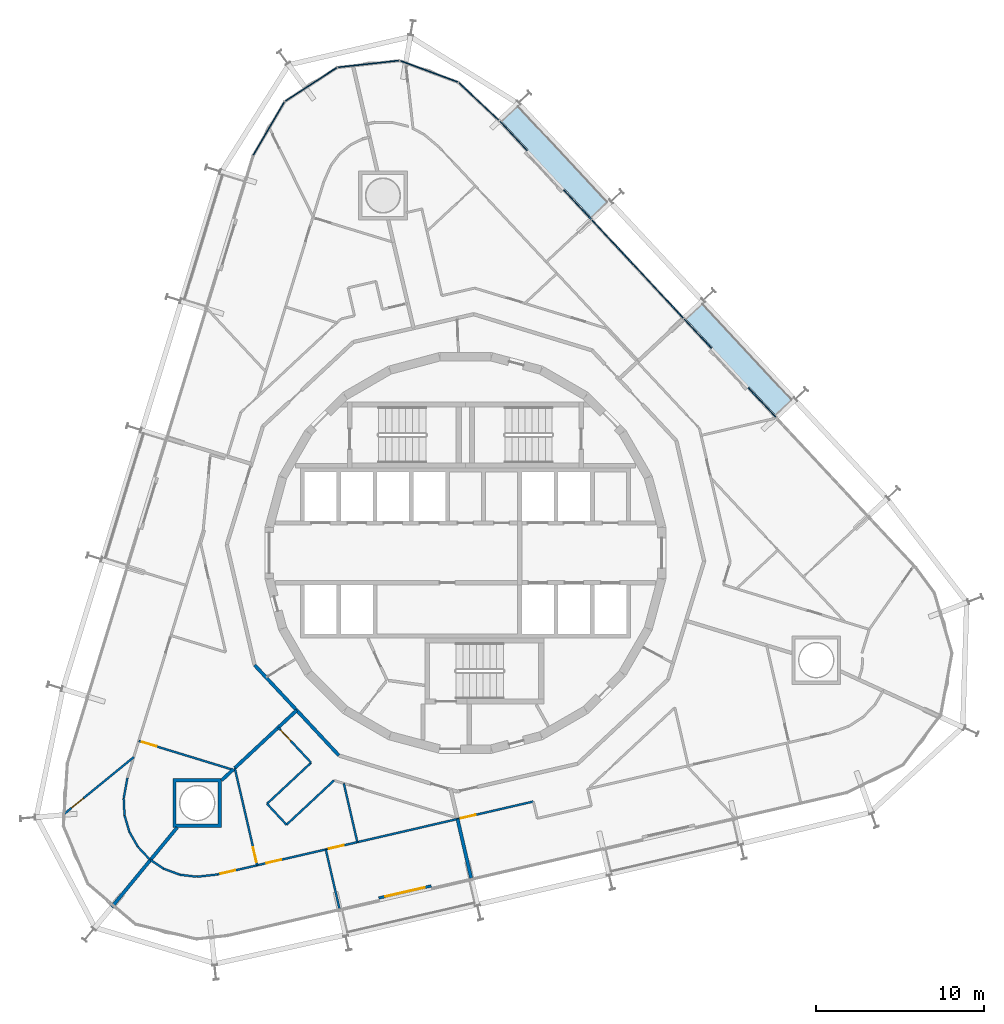
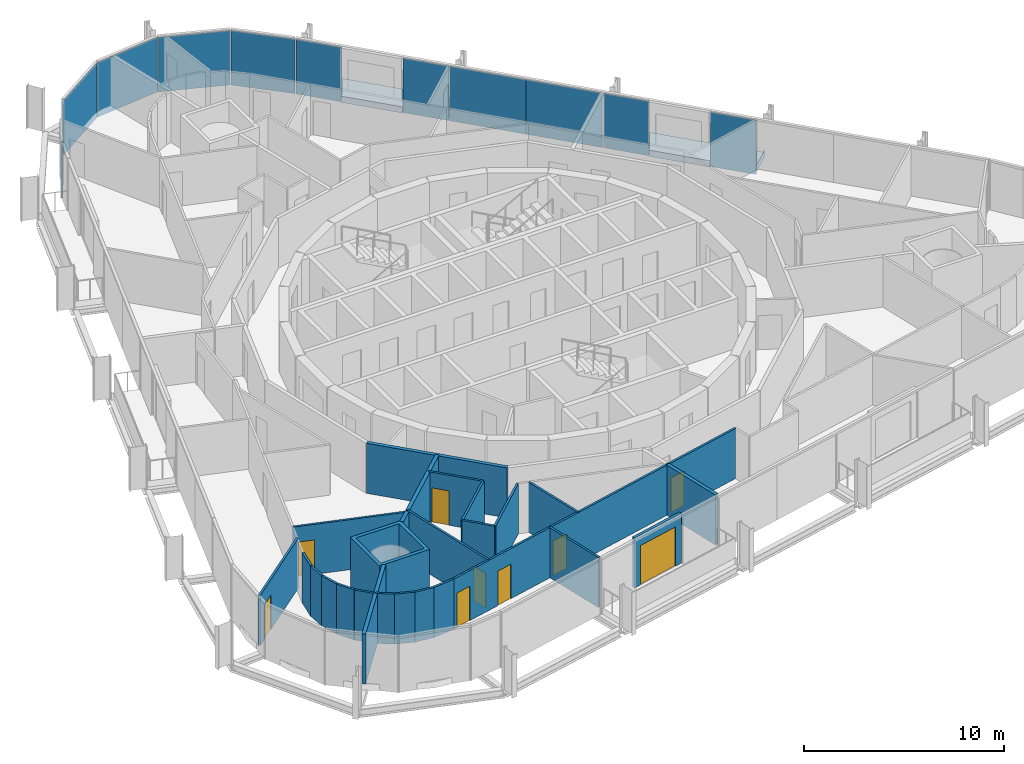
# One storey, part 11 of 18: 26 walls, 11 plates, 9 doors, 2 slabs, 9 openings, 2 elements without a shape of their own.
"""IFC4 building model written with IfcOpenShell, lengths in metres."""

from ifc_helpers import new_model, si_unit, direction, frame, frame_2d, origin, origin_2d, place, context, subcontext, project, spatial, polyline, rectangle, outline, extrude, material, layer, layer_set, type_object, element, fill, aggregate, save


model = new_model("IFC4")

# Units and contexts
model_context = context("Model", 3, precision=1e-05, world=origin(), true_north=direction((0.0, 1.0)))
body_context = subcontext(model_context, "Body", "Model", "MODEL_VIEW")
ifc_project = project(units=[si_unit("LENGTHUNIT", "METRE"), si_unit("AREAUNIT", "SQUARE_METRE"), si_unit("VOLUMEUNIT", "CUBIC_METRE"), si_unit("PLANEANGLEUNIT", "RADIAN"), si_unit("MASSUNIT", "GRAM", prefix="KILO")], contexts=[model_context])

# Site, building, storey
site_placement = place(None, origin())
site = spatial("IfcSite", under=ifc_project, at=site_placement, CompositionType="ELEMENT")
building_placement = place(site_placement, origin())
building = spatial("IfcBuilding", under=site, at=building_placement, Name="Spindle Arch Residences", CompositionType="ELEMENT")
storey_placement = place(building_placement, frame((0.0, 0.0, 141.39990234375)))
storey = spatial("IfcBuildingStorey", under=building, at=storey_placement, Name="L35", CompositionType="ELEMENT", Elevation=141.39990234375)

# Slabs
ifc_material_1 = material(Name="Concrete C40/50", Category="concrete")
ifc_layer_1 = layer(ifc_material_1, 0.3798828125)
ifc_layer_set_1 = layer_set([ifc_layer_1], Name="Balcony slab 380")
slab_type = type_object("IfcSlabType", Name="Balcony slab 380", PredefinedType="FLOOR", material=ifc_layer_set_1)
slab_1_placement = place(storey_placement, frame((0.0, 0.0, -0.3798828125)))
element("IfcSlab", 1, at=slab_1_placement, inside=storey, type_object=slab_type, Name="Balcony L35 bay 7", PredefinedType="FLOOR", context=body_context, shape_type="SweptSolid", body=[
    extrude(outline(polyline([(19.53466796875, 9.170166015625), (19.483642578125, 9.22509765625), (19.373779296875, 9.122802734375), (14.1025390625, 14.775634765625), (14.21240234375, 14.8779296875), (14.1611328125, 14.9326171875), (13.071533203125, 13.91650390625), (14.6669921875, 12.20556640625), (14.550048828125, 12.096435546875), (16.732421875, 9.756103515625), (16.849365234375, 9.865234375), (18.445068359375, 8.154052734375), (19.53466796875, 9.170166015625)])), origin(), (0.0, 0.0, 1.0), 0.3798828125),
])
slab_2_placement = place(storey_placement, frame((0.0, 0.0, -0.3798828125)))
element("IfcSlab", 2, at=slab_2_placement, inside=storey, type_object=slab_type, Name="Balcony L35 bay 9", PredefinedType="FLOOR", context=body_context, shape_type="SweptSolid", body=[
    extrude(outline(polyline([(8.5830078125, 20.91455078125), (8.53173828125, 20.969482421875), (8.422119140625, 20.8671875), (3.15087890625, 26.519775390625), (3.260498046875, 26.6220703125), (3.20947265625, 26.677001953125), (2.11962890625, 25.660888671875), (3.71533203125, 23.94970703125), (3.59814453125, 23.840576171875), (5.78076171875, 21.500244140625), (5.897705078125, 21.609375), (7.4931640625, 19.8984375), (8.5830078125, 20.91455078125)])), origin(), (0.0, 0.0, 1.0), 0.3798828125),
])

# Curtain wall, plates
ifc_material_2 = material(Name="Aluminium bronze unitised frame with tinted glass", Category="aluminium")
ifc_layer_2 = layer(ifc_material_2, 0.159912109375)
ifc_layer_set_2 = layer_set([ifc_layer_2], Name="CW-C typical residential unitised wall")
curtain_wall_type_1 = type_object("IfcCurtainWallType", Name="CW-C typical residential unitised wall", PredefinedType="NOTDEFINED", material=ifc_layer_set_2)
curtain_wall_1_placement = place(storey_placement, origin())
curtain_wall_1 = element("IfcCurtainWall", 3, at=curtain_wall_1_placement, inside=storey, type_object=curtain_wall_type_1, Name="CW-C L35 run 2", PredefinedType="NOTDEFINED")
ifc_material_3 = material(Name="Tinted double glazing over aluminium faced non-combustible spandrel zone (K0)", Category="aluminium")
ifc_layer_3 = layer(ifc_material_3, 0.06005859375)
ifc_layer_set_3 = layer_set([ifc_layer_3], Name="Unitised glass panel with E 60 spandrel zone")
plate_type = type_object("IfcPlateType", Name="Unitised glass panel with E 60 spandrel zone", PredefinedType="CURTAIN_PANEL", material=ifc_layer_set_3)
plate_1_placement = place(storey_placement, frame((17.60400390625, 8.9384765625, -0.3798828125), z_axis=(0.0, 0.0, 1.0), x_axis=(-0.681998360062, 0.731353701619, 0.0)))
plate_1 = element("IfcPlate", 4, at=plate_1_placement, type_object=plate_type, Name="CW-C unit 06L", PredefinedType="CURTAIN_PANEL", context=body_context, shape_type="SweptSolid", body=[
    extrude(rectangle(XDim=2.384521484375, YDim=0.06005859375, at=origin_2d()), origin(), (0.0, 0.0, 1.0), 3.31005859375),
])
plate_2_placement = place(storey_placement, frame((13.79541015625, 13.02294921875, -0.3798828125), z_axis=(0.0, 0.0, 1.0), x_axis=(-0.681998360062, 0.731353701619, 0.0)))
plate_2 = element("IfcPlate", 5, at=plate_2_placement, type_object=plate_type, Name="CW-C unit 06R", PredefinedType="CURTAIN_PANEL", context=body_context, shape_type="SweptSolid", body=[
    extrude(rectangle(XDim=2.384521484375, YDim=0.06005859375, at=origin_2d()), origin(), (0.0, 0.0, 1.0), 3.31005859375),
])
plate_3_placement = place(storey_placement, frame((11.58251953125, 15.395751953125, -0.3798828125), z_axis=(0.0, 0.0, 1.0), x_axis=(-0.681998360062, 0.731353701619, 0.0)))
plate_3 = element("IfcPlate", 6, at=plate_3_placement, type_object=plate_type, Name="CW-C unit 07A", PredefinedType="CURTAIN_PANEL", context=body_context, shape_type="SweptSolid", body=[
    extrude(rectangle(XDim=3.984619140625, YDim=0.06005859375, at=origin_2d()), origin(), (0.0, 0.0, 1.0), 3.31005859375),
])
plate_4_placement = place(storey_placement, frame((8.864990234375, 18.31005859375, -0.3798828125), z_axis=(0.0, 0.0, 1.0), x_axis=(-0.681998360062, 0.731353701619, 0.0)))
plate_4 = element("IfcPlate", 7, at=plate_4_placement, type_object=plate_type, Name="CW-C unit 07B", PredefinedType="CURTAIN_PANEL", context=body_context, shape_type="SweptSolid", body=[
    extrude(rectangle(XDim=3.984619140625, YDim=0.06005859375, at=origin_2d()), origin(), (0.0, 0.0, 1.0), 3.31005859375),
])
plate_5_placement = place(storey_placement, frame((6.65234375, 20.682861328125, -0.3798828125), z_axis=(0.0, 0.0, 1.0), x_axis=(-0.681998360062, 0.731353701619, 0.0)))
plate_5 = element("IfcPlate", 8, at=plate_5_placement, type_object=plate_type, Name="CW-C unit 08L", PredefinedType="CURTAIN_PANEL", context=body_context, shape_type="SweptSolid", body=[
    extrude(rectangle(XDim=2.384521484375, YDim=0.06005859375, at=origin_2d()), origin(), (0.0, 0.0, 1.0), 3.31005859375),
])
plate_6_placement = place(storey_placement, frame((2.84375, 24.767333984375, -0.3798828125), z_axis=(0.0, 0.0, 1.0), x_axis=(-0.681998360062, 0.731353701619, 0.0)))
plate_6 = element("IfcPlate", 9, at=plate_6_placement, type_object=plate_type, Name="CW-C unit 08R", PredefinedType="CURTAIN_PANEL", context=body_context, shape_type="SweptSolid", body=[
    extrude(rectangle(XDim=2.384521484375, YDim=0.06005859375, at=origin_2d()), origin(), (0.0, 0.0, 1.0), 3.31005859375),
])
aggregate(curtain_wall_1, [plate_1, plate_2, plate_3, plate_4, plate_5, plate_6])

ifc_material_4 = material(Name="Aluminium bronze unitised frame with tinted glass", Category="aluminium")
ifc_layer_4 = layer(ifc_material_4, 0.159912109375)
ifc_layer_set_4 = layer_set([ifc_layer_4], Name="CW-D corner wall on the fillet arcs")
curtain_wall_type_2 = type_object("IfcCurtainWallType", Name="CW-D corner wall on the fillet arcs", PredefinedType="NOTDEFINED", material=ifc_layer_set_4)
curtain_wall_2_placement = place(storey_placement, origin())
curtain_wall_2 = element("IfcCurtainWall", 10, at=curtain_wall_2_placement, inside=storey, type_object=curtain_wall_type_2, Name="CW-D L35 run 3", PredefinedType="NOTDEFINED")
plate_7_placement = place(storey_placement, frame((0.794677734375, 26.8046875, -0.3798828125), z_axis=(0.0, 0.0, 1.0), x_axis=(-0.728270412102, 0.685289870681, 0.0)))
plate_7 = element("IfcPlate", 11, at=plate_7_placement, type_object=plate_type, Name="CW-D unit 00", PredefinedType="CURTAIN_PANEL", context=body_context, shape_type="SweptSolid", body=[
    extrude(rectangle(XDim=3.277587890625, YDim=0.06005859375, at=origin_2d()), origin(), (0.0, 0.0, 1.0), 3.31005859375),
])
plate_8_placement = place(storey_placement, frame((-2.16796875, 28.595703125, -0.3798828125), z_axis=(0.0, 0.0, 1.0), x_axis=(-0.937686936403, 0.347481235896, 0.0)))
plate_8 = element("IfcPlate", 12, at=plate_8_placement, type_object=plate_type, Name="CW-D unit 01", PredefinedType="CURTAIN_PANEL", context=body_context, shape_type="SweptSolid", body=[
    extrude(rectangle(XDim=3.666748046875, YDim=0.06005859375, at=origin_2d()), origin(), (0.0, 0.0, 1.0), 3.31005859375),
])
plate_9_placement = place(storey_placement, frame((-5.76708984375, 29.037841796875, -0.3798828125), z_axis=(0.0, 0.0, 1.0), x_axis=(-0.993896946294, -0.110312556619, 0.0)))
plate_9 = element("IfcPlate", 13, at=plate_9_placement, type_object=plate_type, Name="CW-D unit 02", PredefinedType="CURTAIN_PANEL", context=body_context, shape_type="SweptSolid", body=[
    extrude(rectangle(XDim=3.666748046875, YDim=0.06005859375, at=origin_2d()), origin(), (0.0, 0.0, 1.0), 3.31005859375),
])
plate_10_placement = place(storey_placement, frame((-9.181884765625, 27.8173828125, -0.3798828125), z_axis=(0.0, 0.0, 1.0), x_axis=(-0.838670567755, -0.544639035308, 0.0)))
plate_10 = element("IfcPlate", 14, at=plate_10_placement, type_object=plate_type, Name="CW-D unit 03", PredefinedType="CURTAIN_PANEL", context=body_context, shape_type="SweptSolid", body=[
    extrude(rectangle(XDim=3.666748046875, YDim=0.06005859375, at=origin_2d()), origin(), (0.0, 0.0, 1.0), 3.31005859375),
])
plate_11_placement = place(storey_placement, frame((-11.685791015625, 25.194091796875, -0.3798828125), z_axis=(0.0, 0.0, 1.0), x_axis=(-0.505029844161, -0.863101880723, 0.0)))
plate_11 = element("IfcPlate", 15, at=plate_11_placement, type_object=plate_type, Name="CW-D unit 04", PredefinedType="CURTAIN_PANEL", context=body_context, shape_type="SweptSolid", body=[
    extrude(rectangle(XDim=3.666748046875, YDim=0.06005859375, at=origin_2d()), origin(), (0.0, 0.0, 1.0), 3.31005859375),
])
aggregate(curtain_wall_2, [plate_7, plate_8, plate_9, plate_10, plate_11])

# Wall
ifc_material_5 = material(Name="Calcium silicate block, plastered")
ifc_layer_5 = layer(ifc_material_5, 0.199951171875)
ifc_layer_set_5 = layer_set([ifc_layer_5], Name="Corridor wall 200")
wall_type_1 = type_object("IfcWallType", Name="Corridor wall 200", PredefinedType="STANDARD", material=ifc_layer_set_5)
wall_1_placement = place(storey_placement, frame((-12.523193359375, -6.65869140625, 0.0), z_axis=(0.0, 0.0, 1.0), x_axis=(0.682001841105, -0.731350455479, 0.0)))
element("IfcWall", 16, at=wall_1_placement, inside=storey, type_object=wall_type_1, Name="Corridor wall R3C0-W012", PredefinedType="STANDARD", context=body_context, shape_type="SweptSolid", body=[
    extrude(rectangle(XDim=7.341796875, YDim=0.199951171875, at=frame_2d((3.6708984375, 0.0))), origin(), (0.0, 0.0, 1.0), 3.050048828125),
])

# Wall, opening, door
ifc_material_6 = material(Name="Plasterboard on steel studs", Category="steel")
ifc_layer_6 = layer(ifc_material_6, 0.1201171875)
ifc_layer_set_6 = layer_set([ifc_layer_6], Name="Flat partition 120")
wall_type_2 = type_object("IfcWallType", Name="Flat partition 120", PredefinedType="PARTITIONING", material=ifc_layer_set_6)
wall_2_placement = place(storey_placement, frame((-19.403564453125, -11.1669921875, 0.0), z_axis=(0.0, 0.0, 1.0), x_axis=(0.956314306829, -0.292340463423, 0.0)))
wall_2 = element("IfcWall", 17, at=wall_2_placement, inside=storey, type_object=wall_type_2, Name="Flat partition R3C0-W080", PredefinedType="PARTITIONING", context=body_context, shape_type="SweptSolid", body=[
    extrude(rectangle(XDim=5.85009765625, YDim=0.1201171875, at=frame_2d((2.925048828125, 0.0))), origin(), (0.0, 0.0, 1.0), 3.050048828125),
])
opening_1_placement = place(wall_2_placement, frame((0.199951171875, 0.0, 0.0)))
opening_1 = element("IfcOpeningElement", 18, at=opening_1_placement, cuts=wall_2, Name="Opening R3C0-ID20", PredefinedType="OPENING", context=body_context, shape_type="SweptSolid", body=[
    extrude(rectangle(XDim=0.89990234375, YDim=2.10009765625, at=frame_2d((0.449951171875, 1.050048828125))), frame((0.0, 0.070068359375, 0.0), z_axis=(0.0, -1.0, 0.0), x_axis=(1.0, 0.0, 0.0)), (0.0, 0.0, 1.0), 0.14013671875),
])
ifc_material_7 = material(Name="Timber door set", Category="wood")
door_type_1 = type_object("IfcDoorType", Name="Room door 900x2100", OperationType="NOTDEFINED", PredefinedType="DOOR", material=ifc_material_7)
door_1_placement = place(opening_1_placement, origin())
door_1 = element("IfcDoor", 19, at=door_1_placement, inside=storey, type_object=door_type_1, Name="Room door R3C0-ID20", OperationType="SINGLE_SWING_RIGHT", OverallHeight=2.10009765625, OverallWidth=0.89990234375, PredefinedType="DOOR", context=body_context, shape_type="SweptSolid", body=[
    extrude(rectangle(XDim=0.89990234375, YDim=2.10009765625, at=frame_2d((0.449951171875, 1.050048828125))), frame((0.0, 0.02490234375, 0.0), z_axis=(0.0, -1.0, 0.0), x_axis=(1.0, 0.0, 0.0)), (0.0, 0.0, 1.0), 0.050048828125),
])
fill(opening_1, door_1)

wall_3_placement = place(storey_placement, frame((-23.852294921875, -15.52001953125, 0.0), z_axis=(0.0, 0.0, 1.0), x_axis=(0.774546990858, 0.632516370502, 0.0)))
wall_3 = element("IfcWall", 20, at=wall_3_placement, inside=storey, type_object=wall_type_2, Name="Flat partition R3C0-W083", PredefinedType="PARTITIONING", context=body_context, shape_type="SweptSolid", body=[
    extrude(rectangle(XDim=5.36474609375, YDim=0.1201171875, at=frame_2d((2.682373046875, 0.0))), origin(), (0.0, 0.0, 1.0), 3.050048828125),
])
opening_2_placement = place(wall_3_placement, frame((0.60009765625, 0.0, 0.0)))
opening_2 = element("IfcOpeningElement", 21, at=opening_2_placement, cuts=wall_3, Name="Opening R3C0-ID21", PredefinedType="OPENING", context=body_context, shape_type="SweptSolid", body=[
    extrude(rectangle(XDim=0.89990234375, YDim=2.10009765625, at=frame_2d((0.449951171875, 1.050048828125))), frame((0.0, 0.070068359375, 0.0), z_axis=(0.0, -1.0, 0.0), x_axis=(1.0, 0.0, 0.0)), (0.0, 0.0, 1.0), 0.14013671875),
])
door_2_placement = place(opening_2_placement, origin())
door_2 = element("IfcDoor", 22, at=door_2_placement, inside=storey, type_object=door_type_1, Name="Room door R3C0-ID21", OperationType="SINGLE_SWING_RIGHT", OverallHeight=2.10009765625, OverallWidth=0.89990234375, PredefinedType="DOOR", context=body_context, shape_type="SweptSolid", body=[
    extrude(rectangle(XDim=0.89990234375, YDim=2.10009765625, at=frame_2d((0.449951171875, 1.050048828125))), frame((0.0, 0.02490234375, 0.0), z_axis=(0.0, -1.0, 0.0), x_axis=(1.0, 0.0, 0.0)), (0.0, 0.0, 1.0), 0.050048828125),
])
fill(opening_2, door_2)

# Walls
wall_4_placement = place(storey_placement, frame((-20.07666015625, -13.3681640625, 0.0), z_axis=(0.0, 0.0, 1.0), x_axis=(-0.179288174895, -0.983796600087, 0.0)))
element("IfcWall", 23, at=wall_4_placement, inside=storey, type_object=wall_type_2, Name="Flat partition R3C0-W084", PredefinedType="PARTITIONING", context=body_context, shape_type="SweptSolid", body=[
    extrude(rectangle(XDim=1.226806640625, YDim=0.1201171875, at=frame_2d((0.61328125, 0.0))), origin(), (0.0, 0.0, 1.0), 3.050048828125),
])
wall_5_placement = place(storey_placement, frame((-20.296630859375, -14.5751953125, 0.0), z_axis=(0.0, 0.0, 1.0), x_axis=(0.052142637988, -0.998639647372, 0.0)))
element("IfcWall", 24, at=wall_5_placement, inside=storey, type_object=wall_type_2, Name="Flat partition R3C0-W085", PredefinedType="PARTITIONING", context=body_context, shape_type="SweptSolid", body=[
    extrude(rectangle(XDim=1.01611328125, YDim=0.1201171875, at=frame_2d((0.508056640625, 0.0))), origin(), (0.0, 0.0, 1.0), 3.050048828125),
])
for number, where, z_axis, x_axis, name in (
    (25, (-20.24365234375, -15.58984375, 0.0), (0.0, 0.0, 1.0), (0.281411609627, -0.959587153919, 0.0), "Flat partition R3C0-W086"),
    (26, (-19.957763671875, -16.564697265625, 0.0), (0.0, 0.0, 1.0), (0.494818454809, -0.868996373284, 0.0), "Flat partition R3C0-W087"),
    (27, (-19.455078125, -17.447509765625, 0.0), (0.0, 0.0, 1.0), (0.682044196941, -0.731310955353, 0.0), "Flat partition R3C0-W088"),
):
    element("IfcWall", number, at=place(storey_placement, frame(where, z_axis=z_axis, x_axis=x_axis)), inside=storey, type_object=wall_type_2, Name=name, PredefinedType="PARTITIONING", context=body_context, shape_type="SweptSolid", body=[
        extrude(rectangle(XDim=1.015869140625, YDim=0.1201171875, at=frame_2d((0.5078125, 0.0))), origin(), (0.0, 0.0, 1.0), 3.050048828125),
    ])

# Wall, opening, door
wall_6_placement = place(storey_placement, frame((-11.11669921875, -10.366455078125, 0.0), z_axis=(0.0, 0.0, 1.0), x_axis=(0.682029016154, -0.73132511315, 0.0)))
wall_6 = element("IfcWall", 28, at=wall_6_placement, inside=storey, type_object=wall_type_2, Name="Flat partition R3C0-W089", PredefinedType="PARTITIONING", context=body_context, shape_type="SweptSolid", body=[
    extrude(rectangle(XDim=2.857666015625, YDim=0.1201171875, at=frame_2d((1.4287109375, 0.0))), origin(), (0.0, 0.0, 1.0), 3.050048828125),
])
opening_3_placement = place(wall_6_placement, frame((0.199951171875, 0.0, 0.0)))
opening_3 = element("IfcOpeningElement", 29, at=opening_3_placement, cuts=wall_6, Name="Opening R3C0-ID22", PredefinedType="OPENING", context=body_context, shape_type="SweptSolid", body=[
    extrude(rectangle(XDim=0.89990234375, YDim=2.10009765625, at=frame_2d((0.449951171875, 1.050048828125))), frame((0.0, 0.070068359375, 0.0), z_axis=(0.0, -1.0, 0.0), x_axis=(1.0, 0.0, 0.0)), (0.0, 0.0, 1.0), 0.14013671875),
])
door_3_placement = place(opening_3_placement, origin())
door_3 = element("IfcDoor", 30, at=door_3_placement, inside=storey, type_object=door_type_1, Name="Room door R3C0-ID22", OperationType="SINGLE_SWING_LEFT", OverallHeight=2.10009765625, OverallWidth=0.89990234375, PredefinedType="DOOR", context=body_context, shape_type="SweptSolid", body=[
    extrude(rectangle(XDim=0.89990234375, YDim=2.10009765625, at=frame_2d((0.449951171875, 1.050048828125))), frame((0.0, 0.02490234375, 0.0), z_axis=(0.0, -1.0, 0.0), x_axis=(1.0, 0.0, 0.0)), (0.0, 0.0, 1.0), 0.050048828125),
])
fill(opening_3, door_3)

# Walls
wall_7_placement = place(storey_placement, frame((-9.167724609375, -12.456298828125, 0.0), z_axis=(0.0, 0.0, 1.0), x_axis=(-0.731372816465, -0.681977861324, 0.0)))
element("IfcWall", 31, at=wall_7_placement, inside=storey, type_object=wall_type_2, Name="Flat partition R3C0-W090", PredefinedType="PARTITIONING", context=body_context, shape_type="SweptSolid", body=[
    extrude(rectangle(XDim=3.578369140625, YDim=0.1201171875, at=frame_2d((1.7890625, 0.0))), origin(), (0.0, 0.0, 1.0), 3.050048828125),
])
wall_8_placement = place(storey_placement, frame((-11.784912109375, -14.896728515625, 0.0), z_axis=(0.0, 0.0, 1.0), x_axis=(0.681975367709, -0.73137514166, 0.0)))
element("IfcWall", 32, at=wall_8_placement, inside=storey, type_object=wall_type_2, Name="Flat partition R3C0-W091", PredefinedType="PARTITIONING", context=body_context, shape_type="SweptSolid", body=[
    extrude(rectangle(XDim=1.7001953125, YDim=0.1201171875, at=frame_2d((0.85009765625, 0.0))), origin(), (0.0, 0.0, 1.0), 3.050048828125),
])
wall_9_placement = place(storey_placement, frame((-10.62548828125, -16.14013671875, 0.0), z_axis=(0.0, 0.0, 1.0), x_axis=(0.73135399721, 0.68199804308, 0.0)))
element("IfcWall", 33, at=wall_9_placement, inside=storey, type_object=wall_type_2, Name="Flat partition R3C0-W092", PredefinedType="PARTITIONING", context=body_context, shape_type="SweptSolid", body=[
    extrude(rectangle(XDim=3.8583984375, YDim=0.1201171875, at=frame_2d((1.92919921875, 0.0))), origin(), (0.0, 0.0, 1.0), 3.050048828125),
])

# Wall, opening, door
wall_10_placement = place(storey_placement, frame((-12.36572265625, -18.548095703125, 0.0), z_axis=(0.0, 0.0, 1.0), x_axis=(-0.224958805164, 0.974368275335, 0.0)))
wall_10 = element("IfcWall", 34, at=wall_10_placement, inside=storey, type_object=wall_type_2, Name="Flat partition R3C0-W094", PredefinedType="PARTITIONING", context=body_context, shape_type="SweptSolid", body=[
    extrude(rectangle(XDim=5.925537109375, YDim=0.1201171875, at=frame_2d((2.962890625, 0.0))), origin(), (0.0, 0.0, 1.0), 3.050048828125),
])
opening_4_placement = place(wall_10_placement, frame((0.199951171875, 0.0, 0.0)))
opening_4 = element("IfcOpeningElement", 35, at=opening_4_placement, cuts=wall_10, Name="Opening R3C0-ID23", PredefinedType="OPENING", context=body_context, shape_type="SweptSolid", body=[
    extrude(rectangle(XDim=0.89990234375, YDim=2.10009765625, at=frame_2d((0.449951171875, 1.050048828125))), frame((0.0, 0.070068359375, 0.0), z_axis=(0.0, -1.0, 0.0), x_axis=(1.0, 0.0, 0.0)), (0.0, 0.0, 1.0), 0.14013671875),
])
door_4_placement = place(opening_4_placement, origin())
door_4 = element("IfcDoor", 36, at=door_4_placement, inside=storey, type_object=door_type_1, Name="Room door R3C0-ID23", OperationType="SINGLE_SWING_LEFT", OverallHeight=2.10009765625, OverallWidth=0.89990234375, PredefinedType="DOOR", context=body_context, shape_type="SweptSolid", body=[
    extrude(rectangle(XDim=0.89990234375, YDim=2.10009765625, at=frame_2d((0.449951171875, 1.050048828125))), frame((0.0, 0.02490234375, 0.0), z_axis=(0.0, -1.0, 0.0), x_axis=(1.0, 0.0, 0.0)), (0.0, 0.0, 1.0), 0.050048828125),
])
fill(opening_4, door_4)

# Walls
wall_11_placement = place(storey_placement, frame((-18.703125, -18.22998046875, 0.0), z_axis=(0.0, 0.0, 1.0), x_axis=(0.832328473933, -0.554282699965, 0.0)))
element("IfcWall", 37, at=wall_11_placement, inside=storey, type_object=wall_type_2, Name="Flat partition R3C0-W095", PredefinedType="PARTITIONING", context=body_context, shape_type="SweptSolid", body=[
    extrude(rectangle(XDim=0.94482421875, YDim=0.1201171875, at=frame_2d((0.472412109375, 0.0))), origin(), (0.0, 0.0, 1.0), 3.050048828125),
])
wall_12_placement = place(storey_placement, frame((-17.916748046875, -18.753662109375, 0.0), z_axis=(0.0, 0.0, 1.0), x_axis=(0.937684971769, -0.347486537462, 0.0)))
element("IfcWall", 38, at=wall_12_placement, inside=storey, type_object=wall_type_2, Name="Flat partition R3C0-W096", PredefinedType="PARTITIONING", context=body_context, shape_type="SweptSolid", body=[
    extrude(rectangle(XDim=1.015869140625, YDim=0.1201171875, at=frame_2d((0.5078125, 0.0))), origin(), (0.0, 0.0, 1.0), 3.050048828125),
])
wall_13_placement = place(storey_placement, frame((-16.964111328125, -19.106689453125, 0.0), z_axis=(0.0, 0.0, 1.0), x_axis=(0.992523553766, -0.122053247474, 0.0)))
element("IfcWall", 39, at=wall_13_placement, inside=storey, type_object=wall_type_2, Name="Flat partition R3C0-W097", PredefinedType="PARTITIONING", context=body_context, shape_type="SweptSolid", body=[
    extrude(rectangle(XDim=1.01611328125, YDim=0.1201171875, at=frame_2d((0.508056640625, 0.0))), origin(), (0.0, 0.0, 1.0), 3.050048828125),
])
wall_14_placement = place(storey_placement, frame((-15.95556640625, -19.230712890625, 0.0), z_axis=(0.0, 0.0, 1.0), x_axis=(0.993883734674, 0.110431526075, 0.0)))
element("IfcWall", 40, at=wall_14_placement, inside=storey, type_object=wall_type_2, Name="Flat partition R3C0-W098", PredefinedType="PARTITIONING", context=body_context, shape_type="SweptSolid", body=[
    extrude(rectangle(XDim=1.22705078125, YDim=0.1201171875, at=frame_2d((0.613525390625, 0.0))), origin(), (0.0, 0.0, 1.0), 3.050048828125),
])

# Wall, openings, doors
wall_15_placement = place(storey_placement, frame((-14.736083984375, -19.09521484375, 0.0), z_axis=(0.0, 0.0, 1.0), x_axis=(0.974368335243, 0.224958545682, 0.0)))
wall_15 = element("IfcWall", 41, at=wall_15_placement, inside=storey, type_object=wall_type_2, Name="Flat partition R3C0-W099", PredefinedType="PARTITIONING", context=body_context, shape_type="SweptSolid", body=[
    extrude(rectangle(XDim=19.263427734375, YDim=0.1201171875, at=frame_2d((9.6318359375, 0.0))), origin(), (0.0, 0.0, 1.0), 3.050048828125),
])
opening_5_placement = place(wall_15_placement, frame((2.99267578125, 0.0, 0.0)))
opening_5 = element("IfcOpeningElement", 42, at=opening_5_placement, cuts=wall_15, Name="Opening R3C0-ID24", PredefinedType="OPENING", context=body_context, shape_type="SweptSolid", body=[
    extrude(rectangle(XDim=0.89990234375, YDim=2.10009765625, at=frame_2d((0.449951171875, 1.050048828125))), frame((0.0, 0.070068359375, 0.0), z_axis=(0.0, -1.0, 0.0), x_axis=(1.0, 0.0, 0.0)), (0.0, 0.0, 1.0), 0.14013671875),
])
opening_6_placement = place(wall_15_placement, frame((6.81005859375, 0.0, 0.0)))
opening_6 = element("IfcOpeningElement", 43, at=opening_6_placement, cuts=wall_15, Name="Opening R3C0-ID25", PredefinedType="OPENING", context=body_context, shape_type="SweptSolid", body=[
    extrude(rectangle(XDim=0.89990234375, YDim=2.10009765625, at=frame_2d((0.449951171875, 1.050048828125))), frame((0.0, 0.070068359375, 0.0), z_axis=(0.0, -1.0, 0.0), x_axis=(1.0, 0.0, 0.0)), (0.0, 0.0, 1.0), 0.14013671875),
])
opening_7_placement = place(wall_15_placement, frame((0.199951171875, 0.0, 0.0)))
opening_7 = element("IfcOpeningElement", 44, at=opening_7_placement, cuts=wall_15, Name="Opening R3C0-ID26", PredefinedType="OPENING", context=body_context, shape_type="SweptSolid", body=[
    extrude(rectangle(XDim=0.89990234375, YDim=2.10009765625, at=frame_2d((0.449951171875, 1.050048828125))), frame((0.0, 0.070068359375, 0.0), z_axis=(0.0, -1.0, 0.0), x_axis=(1.0, 0.0, 0.0)), (0.0, 0.0, 1.0), 0.14013671875),
])
opening_8_placement = place(wall_15_placement, frame((14.83935546875, 0.0, 0.0)))
opening_8 = element("IfcOpeningElement", 45, at=opening_8_placement, cuts=wall_15, Name="Opening R3C0-ID27", PredefinedType="OPENING", context=body_context, shape_type="SweptSolid", body=[
    extrude(rectangle(XDim=0.89990234375, YDim=2.10009765625, at=frame_2d((0.449951171875, 1.050048828125))), frame((0.0, 0.070068359375, 0.0), z_axis=(0.0, -1.0, 0.0), x_axis=(1.0, 0.0, 0.0)), (0.0, 0.0, 1.0), 0.14013671875),
])
door_5_placement = place(opening_5_placement, origin())
door_5 = element("IfcDoor", 46, at=door_5_placement, inside=storey, type_object=door_type_1, Name="Room door R3C0-ID24", OperationType="SINGLE_SWING_LEFT", OverallHeight=2.10009765625, OverallWidth=0.89990234375, PredefinedType="DOOR", context=body_context, shape_type="SweptSolid", body=[
    extrude(rectangle(XDim=0.89990234375, YDim=2.10009765625, at=frame_2d((0.449951171875, 1.050048828125))), frame((0.0, 0.02490234375, 0.0), z_axis=(0.0, -1.0, 0.0), x_axis=(1.0, 0.0, 0.0)), (0.0, 0.0, 1.0), 0.050048828125),
])
fill(opening_5, door_5)
door_6_placement = place(opening_6_placement, origin())
door_6 = element("IfcDoor", 47, at=door_6_placement, inside=storey, type_object=door_type_1, Name="Room door R3C0-ID25", OperationType="SINGLE_SWING_LEFT", OverallHeight=2.10009765625, OverallWidth=0.89990234375, PredefinedType="DOOR", context=body_context, shape_type="SweptSolid", body=[
    extrude(rectangle(XDim=0.89990234375, YDim=2.10009765625, at=frame_2d((0.449951171875, 1.050048828125))), frame((0.0, 0.02490234375, 0.0), z_axis=(0.0, -1.0, 0.0), x_axis=(1.0, 0.0, 0.0)), (0.0, 0.0, 1.0), 0.050048828125),
])
fill(opening_6, door_6)
door_7_placement = place(opening_7_placement, origin())
door_7 = element("IfcDoor", 48, at=door_7_placement, inside=storey, type_object=door_type_1, Name="Room door R3C0-ID26", OperationType="SINGLE_SWING_LEFT", OverallHeight=2.10009765625, OverallWidth=0.89990234375, PredefinedType="DOOR", context=body_context, shape_type="SweptSolid", body=[
    extrude(rectangle(XDim=0.89990234375, YDim=2.10009765625, at=frame_2d((0.449951171875, 1.050048828125))), frame((0.0, 0.02490234375, 0.0), z_axis=(0.0, -1.0, 0.0), x_axis=(1.0, 0.0, 0.0)), (0.0, 0.0, 1.0), 0.050048828125),
])
fill(opening_7, door_7)
door_8_placement = place(opening_8_placement, origin())
door_8 = element("IfcDoor", 49, at=door_8_placement, inside=storey, type_object=door_type_1, Name="Room door R3C0-ID27", OperationType="SINGLE_SWING_LEFT", OverallHeight=2.10009765625, OverallWidth=0.89990234375, PredefinedType="DOOR", context=body_context, shape_type="SweptSolid", body=[
    extrude(rectangle(XDim=0.89990234375, YDim=2.10009765625, at=frame_2d((0.449951171875, 1.050048828125))), frame((0.0, 0.02490234375, 0.0), z_axis=(0.0, -1.0, 0.0), x_axis=(1.0, 0.0, 0.0)), (0.0, 0.0, 1.0), 0.050048828125),
])
fill(opening_8, door_8)

# Walls
wall_16_placement = place(storey_placement, frame((-6.4189453125, -17.175048828125, 0.0), z_axis=(0.0, 0.0, 1.0), x_axis=(-0.224979003559, 0.974363611778, 0.0)))
element("IfcWall", 50, at=wall_16_placement, inside=storey, type_object=wall_type_2, Name="Flat partition R3C0-W100", PredefinedType="PARTITIONING", context=body_context, shape_type="SweptSolid", body=[
    extrude(rectangle(XDim=3.5810546875, YDim=0.1201171875, at=frame_2d((1.79052734375, 0.0))), origin(), (0.0, 0.0, 1.0), 3.050048828125),
])
wall_17_placement = place(storey_placement, frame((-7.485595703125, -21.115966796875, 0.0), z_axis=(0.0, 0.0, 1.0), x_axis=(-0.224943703639, 0.9743717618, 0.0)))
element("IfcWall", 51, at=wall_17_placement, inside=storey, type_object=wall_type_2, Name="Flat partition R3C0-W101", PredefinedType="PARTITIONING", context=body_context, shape_type="SweptSolid", body=[
    extrude(rectangle(XDim=3.60009765625, YDim=0.1201171875, at=frame_2d((1.800048828125, 0.0))), origin(), (0.0, 0.0, 1.0), 3.050048828125),
])
ifc_material_8 = material(Name="Calcium silicate block, plastered")
ifc_layer_7 = layer(ifc_material_8, 0.199951171875)
ifc_layer_set_7 = layer_set([ifc_layer_7], Name="Flat party wall 200")
wall_type_3 = type_object("IfcWallType", Name="Flat party wall 200", PredefinedType="STANDARD", material=ifc_layer_set_7)
wall_18_placement = place(storey_placement, frame((-13.69873046875, -12.7744140625, 0.0), z_axis=(0.0, 0.0, 1.0), x_axis=(0.731353758457, 0.681998299111, 0.0)))
element("IfcWall", 52, at=wall_18_placement, inside=storey, type_object=wall_type_3, Name="Flat party wall R3C0-W026", PredefinedType="STANDARD", context=body_context, shape_type="SweptSolid", body=[
    extrude(rectangle(XDim=5.03076171875, YDim=0.199951171875, at=frame_2d((2.515380859375, 0.0))), origin(), (0.0, 0.0, 1.0), 3.050048828125),
])
wall_19_placement = place(storey_placement, frame((-21.0, -21.025390625, 0.0), z_axis=(0.0, 0.0, 1.0), x_axis=(0.634846795952, 0.772638043116, 0.0)))
element("IfcWall", 53, at=wall_19_placement, inside=storey, type_object=wall_type_3, Name="Flat party wall R3C0-W027", PredefinedType="STANDARD", context=body_context, shape_type="SweptSolid", body=[
    extrude(rectangle(XDim=6.109130859375, YDim=0.199951171875, at=frame_2d((3.0546875, 0.0))), origin(), (0.0, 0.0, 1.0), 3.050048828125),
])
wall_20_placement = place(storey_placement, frame((-14.480224609375, -13.5029296875, 0.0), z_axis=(0.0, 0.0, 1.0), x_axis=(0.73152991834, 0.681809341806, 0.0)))
element("IfcWall", 54, at=wall_20_placement, inside=storey, type_object=wall_type_3, Name="Flat party wall R3C0-W028", PredefinedType="STANDARD", context=body_context, shape_type="SweptSolid", body=[
    extrude(rectangle(XDim=0.95751953125, YDim=0.199951171875, at=frame_2d((0.478759765625, 0.0))), origin(), (0.0, 0.0, 1.0), 3.050048828125),
])
wall_21_placement = place(storey_placement, frame((0.337890625, -19.309814453125, 0.0), z_axis=(0.0, 0.0, 1.0), x_axis=(-0.224943703639, 0.9743717618, 0.0)))
element("IfcWall", 55, at=wall_21_placement, inside=storey, type_object=wall_type_3, Name="Flat party wall R3C0-W030", PredefinedType="STANDARD", context=body_context, shape_type="SweptSolid", body=[
    extrude(rectangle(XDim=3.60009765625, YDim=0.199951171875, at=frame_2d((1.800048828125, 0.0))), origin(), (0.0, 0.0, 1.0), 3.050048828125),
])

# Wall, opening, door
ifc_material_9 = material(Name="Non-combustible mineral wool insulated aluminium faced external wall (K0)", Category="aluminium")
ifc_layer_8 = layer(ifc_material_9, 0.159912109375)
ifc_layer_set_8 = layer_set([ifc_layer_8], Name="Insulated external wall panel 160")
wall_type_4 = type_object("IfcWallType", Name="Insulated external wall panel 160", PredefinedType="STANDARD", material=ifc_layer_set_8)
wall_22_placement = place(storey_placement, frame((-5.15087890625, -20.494873046875, 0.0), z_axis=(0.0, 0.0, 1.0), x_axis=(0.974377048991, 0.224920800284, 0.0)))
wall_22 = element("IfcWall", 56, at=wall_22_placement, inside=storey, type_object=wall_type_4, Name="External wall L35 bay 21", PredefinedType="STANDARD", context=body_context, shape_type="SweptSolid", body=[
    extrude(rectangle(XDim=3.199951171875, YDim=0.159912109375, at=frame_2d((1.60009765625, 0.0))), origin(), (0.0, 0.0, 1.0), 3.050048828125),
])
opening_9_placement = place(wall_22_placement, frame((0.39990234375, 0.0, 0.0)))
opening_9 = element("IfcOpeningElement", 57, at=opening_9_placement, cuts=wall_22, Name="Opening BD21", PredefinedType="OPENING", context=body_context, shape_type="SweptSolid", body=[
    extrude(rectangle(XDim=2.39990234375, YDim=2.39990234375, at=frame_2d((1.199951171875, 1.199951171875))), frame((0.0, 0.08984375, 0.0), z_axis=(0.0, -1.0, 0.0), x_axis=(1.0, 0.0, 0.0)), (0.0, 0.0, 1.0), 0.179931640625),
])
ifc_material_10 = material(Name="Bronze aluminium frame, tinted double glazing", Category="aluminium")
door_type_2 = type_object("IfcDoorType", Name="Sliding glazed balcony door 2400x2400", OperationType="DOUBLE_DOOR_SLIDING", PredefinedType="DOOR", material=ifc_material_10)
door_9_placement = place(opening_9_placement, origin())
door_9 = element("IfcDoor", 58, at=door_9_placement, inside=storey, type_object=door_type_2, Name="Balcony door BD21", OperationType="DOUBLE_DOOR_SLIDING", OverallHeight=2.39990234375, OverallWidth=2.39990234375, PredefinedType="DOOR", context=body_context, shape_type="SweptSolid", body=[
    extrude(rectangle(XDim=2.39990234375, YDim=2.39990234375, at=frame_2d((1.199951171875, 1.199951171875))), frame((0.0, 0.02490234375, 0.0), z_axis=(0.0, -1.0, 0.0), x_axis=(1.0, 0.0, 0.0)), (0.0, 0.0, 1.0), 0.050048828125),
])
fill(opening_9, door_9)

# Wall
ifc_material_11 = material(Name="Calcium silicate block, plastered")
ifc_layer_9 = layer(ifc_material_11, 0.199951171875)
ifc_layer_set_9 = layer_set([ifc_layer_9], Name="Mega-column casing wall 200")
wall_type_5 = type_object("IfcWallType", Name="Mega-column casing wall 200", PredefinedType="STANDARD", material=ifc_layer_set_9)
wall_23_placement = place(storey_placement, origin())
element("IfcWall", 59, at=wall_23_placement, inside=storey, type_object=wall_type_5, Name="Mega-column casing wall R3C0-WC02", PredefinedType="STANDARD", context=body_context, shape_type="SweptSolid", body=[
    extrude(outline(polyline([(-14.480224609375, -13.4052734375), (-14.480224609375, -16.30517578125), (-17.380126953125, -16.30517578125), (-17.380126953125, -13.4052734375), (-14.480224609375, -13.4052734375)]), holes=[polyline([(-17.18017578125, -16.105224609375), (-14.68017578125, -16.105224609375), (-14.68017578125, -13.605224609375), (-17.18017578125, -13.605224609375), (-17.18017578125, -16.105224609375)])]), origin(), (0.0, 0.0, 1.0), 3.050048828125),
])

save(model, "model.ifc")
